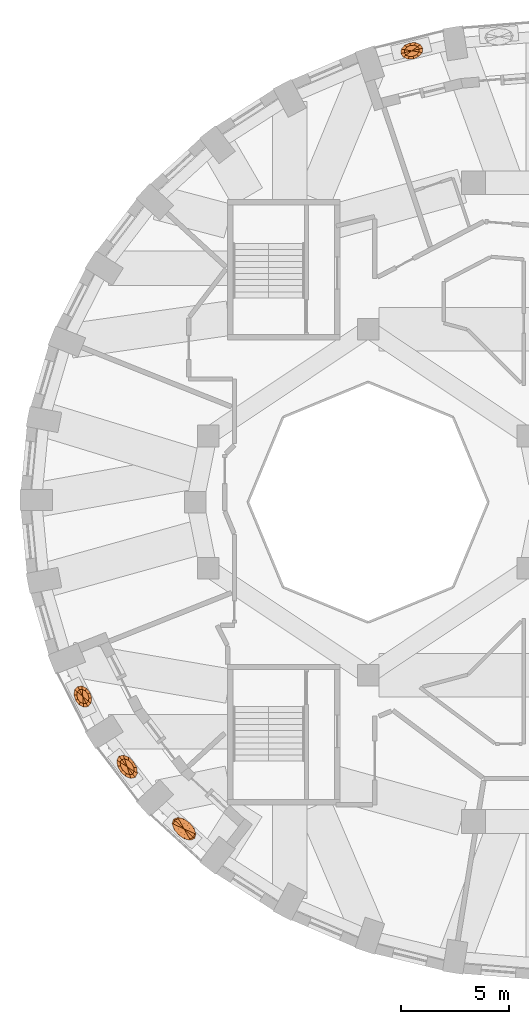
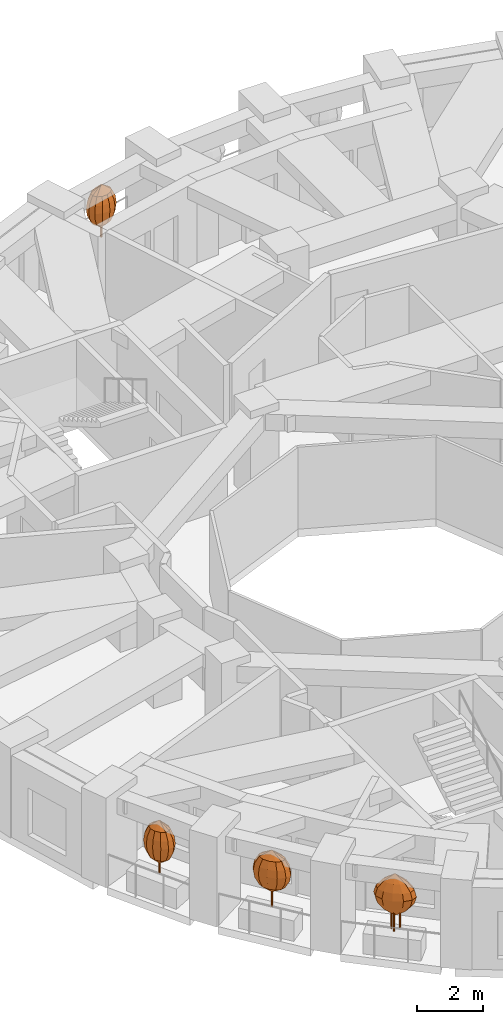
# One storey, part 10 of 11: 4 geographic elements.
"""IFC4 building model written with IfcOpenShell, lengths in metres."""

from ifc_helpers import new_model, si_unit, direction, frame, origin, place, context, subcontext, project, spatial, faceted_brep, material, constituent, constituent_set, type_object, element, save


model = new_model("IFC4")

# Units and contexts
model_context = context("Model", 3, precision=1e-05, world=origin(), true_north=direction((0.0, 1.0)))
body_context = subcontext(model_context, "Body", "Model", "MODEL_VIEW")
ifc_project = project(units=[si_unit("LENGTHUNIT", "METRE"), si_unit("AREAUNIT", "SQUARE_METRE"), si_unit("VOLUMEUNIT", "CUBIC_METRE"), si_unit("PLANEANGLEUNIT", "RADIAN"), si_unit("MASSUNIT", "GRAM", prefix="KILO")], contexts=[model_context])

# Site, building, storey
site_placement = place(None, origin())
site = spatial("IfcSite", under=ifc_project, at=site_placement, CompositionType="ELEMENT")
building_placement = place(site_placement, origin())
building = spatial("IfcBuilding", under=site, at=building_placement, Name="Taillehof Tower", CompositionType="ELEMENT")
storey_placement = place(building_placement, frame((0.0, 0.0, 178.10009765625)))
storey = spatial("IfcBuildingStorey", under=building, at=storey_placement, Name="L50", CompositionType="ELEMENT", Elevation=178.10009765625)

# Geographic elements
ifc_material_1 = material(Name="Tree bark", Category="timber")
ifc_constituent_1 = constituent(ifc_material_1, Name="Trunk", Category="timber")
ifc_material_2 = material(Name="Tree foliage")
ifc_constituent_2 = constituent(ifc_material_2, Name="Crown")
ifc_constituent_set_1 = constituent_set(constituents=[ifc_constituent_1, ifc_constituent_2], Name="Tree TR1 Columnar hornbeam")
geographic_element_type_1 = type_object("IfcGeographicElementType", Name="Tree TR1 Columnar hornbeam", PredefinedType="USERDEFINED", material=ifc_constituent_set_1)
geographic_element_1_placement = place(storey_placement, frame((-19.1455078125, -12.23876953125, 0.75)))
element("IfcGeographicElement", 1, at=geographic_element_1_placement, inside=storey, type_object=geographic_element_type_1, Name="Tree TR1 Columnar hornbeam", ObjectType="TREE", PredefinedType="USERDEFINED", context=body_context, shape_type="Brep", body=[
    faceted_brep([(0.030029296875, 0.0, 0.0), (0.021240234375, 0.021240234375, 0.0), (0.021240234375, 0.021240234375, 1.092529296875), (0.030029296875, 0.0, 1.092529296875), (0.0, 0.030029296875, 0.0), (0.0, 0.030029296875, 1.092529296875), (-0.021240234375, 0.021240234375, 0.0), (-0.021240234375, 0.021240234375, 1.092529296875), (-0.030029296875, 0.0, 0.0), (-0.030029296875, 0.0, 1.092529296875), (-0.021240234375, -0.021240234375, 0.0), (-0.021240234375, -0.021240234375, 1.092529296875), (0.0, -0.030029296875, 0.0), (0.0, -0.030029296875, 1.092529296875), (0.021240234375, -0.021240234375, 0.0), (0.021240234375, -0.021240234375, 1.092529296875)], [[[0, 1, 2, 3]], [[1, 4, 5, 2]], [[4, 6, 7, 5]], [[6, 8, 9, 7]], [[8, 10, 11, 9]], [[10, 12, 13, 11]], [[12, 14, 15, 13]], [[14, 0, 3, 15]], [[14, 12, 10, 8, 6, 4, 1, 0]], [[3, 2, 5, 7, 9, 11, 13, 15]]]),
    faceted_brep([(0.0, 0.0, 0.550048828125), (0.324951171875, -0.211181640625, 0.808349609375), (0.25634765625, -0.3349609375, 0.808349609375), (0.306640625, -0.03076171875, 0.808349609375), (0.2060546875, 0.15771484375, 0.808349609375), (0.05029296875, 0.30419921875, 0.808349609375), (-0.118896484375, 0.368896484375, 0.808349609375), (-0.25634765625, 0.3349609375, 0.808349609375), (-0.324951171875, 0.211181640625, 0.808349609375), (-0.306640625, 0.03076171875, 0.808349609375), (-0.2060546875, -0.15771484375, 0.808349609375), (-0.05029296875, -0.30419921875, 0.808349609375), (0.118896484375, -0.368896484375, 0.808349609375), (0.439697265625, -0.28564453125, 1.066650390625), (0.3466796875, -0.453125, 1.066650390625), (0.414794921875, -0.041748046875, 1.066650390625), (0.27880859375, 0.21337890625, 1.066650390625), (0.068115234375, 0.411376953125, 1.066650390625), (-0.160888671875, 0.4990234375, 1.066650390625), (-0.3466796875, 0.453125, 1.066650390625), (-0.439697265625, 0.28564453125, 1.066650390625), (-0.414794921875, 0.041748046875, 1.066650390625), (-0.27880859375, -0.21337890625, 1.066650390625), (-0.068115234375, -0.411376953125, 1.066650390625), (0.160888671875, -0.4990234375, 1.066650390625), (0.475830078125, -0.30908203125, 1.324951171875), (0.375244140625, -0.490234375, 1.324951171875), (0.448974609375, -0.045166015625, 1.324951171875), (0.3017578125, 0.23095703125, 1.324951171875), (0.07373046875, 0.4453125, 1.324951171875), (-0.174072265625, 0.5400390625, 1.324951171875), (-0.375244140625, 0.490234375, 1.324951171875), (-0.475830078125, 0.30908203125, 1.324951171875), (-0.448974609375, 0.045166015625, 1.324951171875), (-0.3017578125, -0.23095703125, 1.324951171875), (-0.07373046875, -0.4453125, 1.324951171875), (0.174072265625, -0.5400390625, 1.324951171875), (0.439697265625, -0.28564453125, 1.583251953125), (0.3466796875, -0.453125, 1.583251953125), (0.414794921875, -0.041748046875, 1.583251953125), (0.27880859375, 0.21337890625, 1.583251953125), (0.068115234375, 0.411376953125, 1.583251953125), (-0.160888671875, 0.4990234375, 1.583251953125), (-0.3466796875, 0.453125, 1.583251953125), (-0.439697265625, 0.28564453125, 1.583251953125), (-0.414794921875, 0.041748046875, 1.583251953125), (-0.27880859375, -0.21337890625, 1.583251953125), (-0.068115234375, -0.411376953125, 1.583251953125), (0.160888671875, -0.4990234375, 1.583251953125), (0.324951171875, -0.211181640625, 1.841552734375), (0.25634765625, -0.3349609375, 1.841552734375), (0.306640625, -0.03076171875, 1.841552734375), (0.2060546875, 0.15771484375, 1.841552734375), (0.05029296875, 0.30419921875, 1.841552734375), (-0.118896484375, 0.368896484375, 1.841552734375), (-0.25634765625, 0.3349609375, 1.841552734375), (-0.324951171875, 0.211181640625, 1.841552734375), (-0.306640625, 0.03076171875, 1.841552734375), (-0.2060546875, -0.15771484375, 1.841552734375), (-0.05029296875, -0.30419921875, 1.841552734375), (0.118896484375, -0.368896484375, 1.841552734375), (0.0, 0.0, 2.10009765625)], [[[0, 1, 2]], [[0, 3, 1]], [[0, 4, 3]], [[0, 5, 4]], [[0, 6, 5]], [[0, 7, 6]], [[0, 8, 7]], [[0, 9, 8]], [[0, 10, 9]], [[0, 11, 10]], [[0, 12, 11]], [[0, 2, 12]], [[2, 1, 13, 14]], [[1, 3, 15, 13]], [[3, 4, 16, 15]], [[4, 5, 17, 16]], [[5, 6, 18, 17]], [[6, 7, 19, 18]], [[7, 8, 20, 19]], [[8, 9, 21, 20]], [[9, 10, 22, 21]], [[10, 11, 23, 22]], [[11, 12, 24, 23]], [[12, 2, 14, 24]], [[14, 13, 25, 26]], [[13, 15, 27, 25]], [[15, 16, 28, 27]], [[16, 17, 29, 28]], [[17, 18, 30, 29]], [[18, 19, 31, 30]], [[19, 20, 32, 31]], [[20, 21, 33, 32]], [[21, 22, 34, 33]], [[22, 23, 35, 34]], [[23, 24, 36, 35]], [[24, 14, 26, 36]], [[26, 25, 37, 38]], [[25, 27, 39, 37]], [[27, 28, 40, 39]], [[28, 29, 41, 40]], [[29, 30, 42, 41]], [[30, 31, 43, 42]], [[31, 32, 44, 43]], [[32, 33, 45, 44]], [[33, 34, 46, 45]], [[34, 35, 47, 46]], [[35, 36, 48, 47]], [[36, 26, 38, 48]], [[38, 37, 49, 50]], [[37, 39, 51, 49]], [[39, 40, 52, 51]], [[40, 41, 53, 52]], [[41, 42, 54, 53]], [[42, 43, 55, 54]], [[43, 44, 56, 55]], [[44, 45, 57, 56]], [[45, 46, 58, 57]], [[46, 47, 59, 58]], [[47, 48, 60, 59]], [[48, 38, 50, 60]], [[50, 49, 61]], [[49, 51, 61]], [[51, 52, 61]], [[52, 53, 61]], [[53, 54, 61]], [[54, 55, 61]], [[55, 56, 61]], [[56, 57, 61]], [[57, 58, 61]], [[58, 59, 61]], [[59, 60, 61]], [[60, 50, 61]]]),
])
ifc_material_3 = material(Name="Tree bark", Category="timber")
ifc_constituent_3 = constituent(ifc_material_3, Name="Trunk", Category="timber")
ifc_material_4 = material(Name="Tree foliage")
ifc_constituent_4 = constituent(ifc_material_4, Name="Crown")
ifc_constituent_set_2 = constituent_set(constituents=[ifc_constituent_3, ifc_constituent_4], Name="Tree TR2 Fastigiate yew")
geographic_element_type_2 = type_object("IfcGeographicElementType", Name="Tree TR2 Fastigiate yew", PredefinedType="USERDEFINED", material=ifc_constituent_set_2)
geographic_element_2_placement = place(storey_placement, frame((-21.1943359375, -8.99169921875, 0.75)))
element("IfcGeographicElement", 2, at=geographic_element_2_placement, inside=storey, type_object=geographic_element_type_2, Name="Tree TR2 Fastigiate yew", ObjectType="TREE", PredefinedType="USERDEFINED", context=body_context, shape_type="Brep", body=[
    faceted_brep([(0.034912109375, 0.0, 0.0), (0.024658203125, 0.024658203125, 0.0), (0.024658203125, 0.024658203125, 0.909912109375), (0.034912109375, 0.0, 0.909912109375), (0.0, 0.034912109375, 0.0), (0.0, 0.034912109375, 0.909912109375), (-0.024658203125, 0.024658203125, 0.0), (-0.024658203125, 0.024658203125, 0.909912109375), (-0.034912109375, 0.0, 0.0), (-0.034912109375, 0.0, 0.909912109375), (-0.024658203125, -0.024658203125, 0.0), (-0.024658203125, -0.024658203125, 0.909912109375), (0.0, -0.034912109375, 0.0), (0.0, -0.034912109375, 0.909912109375), (0.024658203125, -0.024658203125, 0.0), (0.024658203125, -0.024658203125, 0.909912109375)], [[[0, 1, 2, 3]], [[1, 4, 5, 2]], [[4, 6, 7, 5]], [[6, 8, 9, 7]], [[8, 10, 11, 9]], [[10, 12, 13, 11]], [[12, 14, 15, 13]], [[14, 0, 3, 15]], [[14, 12, 10, 8, 6, 4, 1, 0]], [[3, 2, 5, 7, 9, 11, 13, 15]]]),
    faceted_brep([(0.0, 0.0, 0.35009765625), (0.255859375, -0.21630859375, 0.61669921875), (0.162109375, -0.31787109375, 0.61669921875), (0.28125, -0.056884765625, 0.61669921875), (0.231201171875, 0.117919921875, 0.61669921875), (0.119140625, 0.260986328125, 0.61669921875), (-0.024658203125, 0.334228515625, 0.61669921875), (-0.162109375, 0.31787109375, 0.61669921875), (-0.255859375, 0.21630859375, 0.61669921875), (-0.28125, 0.056884765625, 0.61669921875), (-0.231201171875, -0.117919921875, 0.61669921875), (-0.119140625, -0.260986328125, 0.61669921875), (0.024658203125, -0.334228515625, 0.61669921875), (0.34619140625, -0.292724609375, 0.88330078125), (0.21923828125, -0.43017578125, 0.88330078125), (0.380615234375, -0.076904296875, 0.88330078125), (0.312744140625, 0.159423828125, 0.88330078125), (0.161376953125, 0.35302734375, 0.88330078125), (-0.033447265625, 0.4521484375, 0.88330078125), (-0.21923828125, 0.43017578125, 0.88330078125), (-0.34619140625, 0.292724609375, 0.88330078125), (-0.380615234375, 0.076904296875, 0.88330078125), (-0.312744140625, -0.159423828125, 0.88330078125), (-0.161376953125, -0.35302734375, 0.88330078125), (0.033447265625, -0.4521484375, 0.88330078125), (0.374755859375, -0.31689453125, 1.14990234375), (0.2373046875, -0.465576171875, 1.14990234375), (0.411865234375, -0.083251953125, 1.14990234375), (0.338623046875, 0.172607421875, 1.14990234375), (0.174560546875, 0.38232421875, 1.14990234375), (-0.0361328125, 0.489501953125, 1.14990234375), (-0.2373046875, 0.465576171875, 1.14990234375), (-0.374755859375, 0.31689453125, 1.14990234375), (-0.411865234375, 0.083251953125, 1.14990234375), (-0.338623046875, -0.172607421875, 1.14990234375), (-0.174560546875, -0.38232421875, 1.14990234375), (0.0361328125, -0.489501953125, 1.14990234375), (0.34619140625, -0.292724609375, 1.416748046875), (0.21923828125, -0.43017578125, 1.416748046875), (0.380615234375, -0.076904296875, 1.416748046875), (0.312744140625, 0.159423828125, 1.416748046875), (0.161376953125, 0.35302734375, 1.416748046875), (-0.033447265625, 0.4521484375, 1.416748046875), (-0.21923828125, 0.43017578125, 1.416748046875), (-0.34619140625, 0.292724609375, 1.416748046875), (-0.380615234375, 0.076904296875, 1.416748046875), (-0.312744140625, -0.159423828125, 1.416748046875), (-0.161376953125, -0.35302734375, 1.416748046875), (0.033447265625, -0.4521484375, 1.416748046875), (0.255859375, -0.21630859375, 1.683349609375), (0.162109375, -0.31787109375, 1.683349609375), (0.28125, -0.056884765625, 1.683349609375), (0.231201171875, 0.117919921875, 1.683349609375), (0.119140625, 0.260986328125, 1.683349609375), (-0.024658203125, 0.334228515625, 1.683349609375), (-0.162109375, 0.31787109375, 1.683349609375), (-0.255859375, 0.21630859375, 1.683349609375), (-0.28125, 0.056884765625, 1.683349609375), (-0.231201171875, -0.117919921875, 1.683349609375), (-0.119140625, -0.260986328125, 1.683349609375), (0.024658203125, -0.334228515625, 1.683349609375), (0.0, 0.0, 1.949951171875)], [[[0, 1, 2]], [[0, 3, 1]], [[0, 4, 3]], [[0, 5, 4]], [[0, 6, 5]], [[0, 7, 6]], [[0, 8, 7]], [[0, 9, 8]], [[0, 10, 9]], [[0, 11, 10]], [[0, 12, 11]], [[0, 2, 12]], [[2, 1, 13, 14]], [[1, 3, 15, 13]], [[3, 4, 16, 15]], [[4, 5, 17, 16]], [[5, 6, 18, 17]], [[6, 7, 19, 18]], [[7, 8, 20, 19]], [[8, 9, 21, 20]], [[9, 10, 22, 21]], [[10, 11, 23, 22]], [[11, 12, 24, 23]], [[12, 2, 14, 24]], [[14, 13, 25, 26]], [[13, 15, 27, 25]], [[15, 16, 28, 27]], [[16, 17, 29, 28]], [[17, 18, 30, 29]], [[18, 19, 31, 30]], [[19, 20, 32, 31]], [[20, 21, 33, 32]], [[21, 22, 34, 33]], [[22, 23, 35, 34]], [[23, 24, 36, 35]], [[24, 14, 26, 36]], [[26, 25, 37, 38]], [[25, 27, 39, 37]], [[27, 28, 40, 39]], [[28, 29, 41, 40]], [[29, 30, 42, 41]], [[30, 31, 43, 42]], [[31, 32, 44, 43]], [[32, 33, 45, 44]], [[33, 34, 46, 45]], [[34, 35, 47, 46]], [[35, 36, 48, 47]], [[36, 26, 38, 48]], [[38, 37, 49, 50]], [[37, 39, 51, 49]], [[39, 40, 52, 51]], [[40, 41, 53, 52]], [[41, 42, 54, 53]], [[42, 43, 55, 54]], [[43, 44, 56, 55]], [[44, 45, 57, 56]], [[45, 46, 58, 57]], [[46, 47, 59, 58]], [[47, 48, 60, 59]], [[48, 38, 50, 60]], [[50, 49, 61]], [[49, 51, 61]], [[51, 52, 61]], [[52, 53, 61]], [[53, 54, 61]], [[54, 55, 61]], [[55, 56, 61]], [[56, 57, 61]], [[57, 58, 61]], [[58, 59, 61]], [[59, 60, 61]], [[60, 50, 61]]]),
])
geographic_element_3_placement = place(storey_placement, frame((-5.9794921875, 20.873779296875, 0.75)))
element("IfcGeographicElement", 3, at=geographic_element_3_placement, inside=storey, type_object=geographic_element_type_2, Name="Tree TR2 Fastigiate yew", ObjectType="TREE", PredefinedType="USERDEFINED", context=body_context, shape_type="Brep", body=[
    faceted_brep([(0.034912109375, 0.0, 0.0), (0.024658203125, 0.024658203125, 0.0), (0.024658203125, 0.024658203125, 0.909912109375), (0.034912109375, 0.0, 0.909912109375), (0.0, 0.034912109375, 0.0), (0.0, 0.034912109375, 0.909912109375), (-0.024658203125, 0.024658203125, 0.0), (-0.024658203125, 0.024658203125, 0.909912109375), (-0.034912109375, 0.0, 0.0), (-0.034912109375, 0.0, 0.909912109375), (-0.024658203125, -0.024658203125, 0.0), (-0.024658203125, -0.024658203125, 0.909912109375), (0.0, -0.034912109375, 0.0), (0.0, -0.034912109375, 0.909912109375), (0.024658203125, -0.024658203125, 0.0), (0.024658203125, -0.024658203125, 0.909912109375)], [[[0, 1, 2, 3]], [[1, 4, 5, 2]], [[4, 6, 7, 5]], [[6, 8, 9, 7]], [[8, 10, 11, 9]], [[10, 12, 13, 11]], [[12, 14, 15, 13]], [[14, 0, 3, 15]], [[14, 12, 10, 8, 6, 4, 1, 0]], [[3, 2, 5, 7, 9, 11, 13, 15]]]),
    faceted_brep([(0.0, 0.0, 0.35009765625), (-0.269287109375, -0.19970703125, 0.61669921875), (-0.3466796875, -0.0849609375, 0.61669921875), (-0.119873046875, -0.2607421875, 0.61669921875), (0.061767578125, -0.252197265625, 0.61669921875), (0.226806640625, -0.17578125, 0.61669921875), (0.3310546875, -0.052490234375, 0.61669921875), (0.3466796875, 0.0849609375, 0.61669921875), (0.269287109375, 0.19970703125, 0.61669921875), (0.119873046875, 0.2607421875, 0.61669921875), (-0.061767578125, 0.252197265625, 0.61669921875), (-0.226806640625, 0.17578125, 0.61669921875), (-0.3310546875, 0.052490234375, 0.61669921875), (-0.3642578125, -0.27001953125, 0.88330078125), (-0.468994140625, -0.114990234375, 0.88330078125), (-0.162109375, -0.352783203125, 0.88330078125), (0.08349609375, -0.341064453125, 0.88330078125), (0.306884765625, -0.23779296875, 0.88330078125), (0.44775390625, -0.071044921875, 0.88330078125), (0.468994140625, 0.114990234375, 0.88330078125), (0.3642578125, 0.27001953125, 0.88330078125), (0.162109375, 0.352783203125, 0.88330078125), (-0.08349609375, 0.341064453125, 0.88330078125), (-0.306884765625, 0.23779296875, 0.88330078125), (-0.44775390625, 0.071044921875, 0.88330078125), (-0.394287109375, -0.292236328125, 1.14990234375), (-0.507568359375, -0.12451171875, 1.14990234375), (-0.17529296875, -0.3818359375, 1.14990234375), (0.090576171875, -0.369140625, 1.14990234375), (0.33203125, -0.25732421875, 1.14990234375), (0.484619140625, -0.076904296875, 1.14990234375), (0.507568359375, 0.12451171875, 1.14990234375), (0.394287109375, 0.292236328125, 1.14990234375), (0.17529296875, 0.3818359375, 1.14990234375), (-0.090576171875, 0.369140625, 1.14990234375), (-0.33203125, 0.25732421875, 1.14990234375), (-0.484619140625, 0.076904296875, 1.14990234375), (-0.3642578125, -0.27001953125, 1.416748046875), (-0.468994140625, -0.114990234375, 1.416748046875), (-0.162109375, -0.352783203125, 1.416748046875), (0.08349609375, -0.341064453125, 1.416748046875), (0.306884765625, -0.23779296875, 1.416748046875), (0.44775390625, -0.071044921875, 1.416748046875), (0.468994140625, 0.114990234375, 1.416748046875), (0.3642578125, 0.27001953125, 1.416748046875), (0.162109375, 0.352783203125, 1.416748046875), (-0.08349609375, 0.341064453125, 1.416748046875), (-0.306884765625, 0.23779296875, 1.416748046875), (-0.44775390625, 0.071044921875, 1.416748046875), (-0.269287109375, -0.19970703125, 1.683349609375), (-0.3466796875, -0.0849609375, 1.683349609375), (-0.119873046875, -0.2607421875, 1.683349609375), (0.061767578125, -0.252197265625, 1.683349609375), (0.226806640625, -0.17578125, 1.683349609375), (0.3310546875, -0.052490234375, 1.683349609375), (0.3466796875, 0.0849609375, 1.683349609375), (0.269287109375, 0.19970703125, 1.683349609375), (0.119873046875, 0.2607421875, 1.683349609375), (-0.061767578125, 0.252197265625, 1.683349609375), (-0.226806640625, 0.17578125, 1.683349609375), (-0.3310546875, 0.052490234375, 1.683349609375), (0.0, 0.0, 1.949951171875)], [[[0, 1, 2]], [[0, 3, 1]], [[0, 4, 3]], [[0, 5, 4]], [[0, 6, 5]], [[0, 7, 6]], [[0, 8, 7]], [[0, 9, 8]], [[0, 10, 9]], [[0, 11, 10]], [[0, 12, 11]], [[0, 2, 12]], [[2, 1, 13, 14]], [[1, 3, 15, 13]], [[3, 4, 16, 15]], [[4, 5, 17, 16]], [[5, 6, 18, 17]], [[6, 7, 19, 18]], [[7, 8, 20, 19]], [[8, 9, 21, 20]], [[9, 10, 22, 21]], [[10, 11, 23, 22]], [[11, 12, 24, 23]], [[12, 2, 14, 24]], [[14, 13, 25, 26]], [[13, 15, 27, 25]], [[15, 16, 28, 27]], [[16, 17, 29, 28]], [[17, 18, 30, 29]], [[18, 19, 31, 30]], [[19, 20, 32, 31]], [[20, 21, 33, 32]], [[21, 22, 34, 33]], [[22, 23, 35, 34]], [[23, 24, 36, 35]], [[24, 14, 26, 36]], [[26, 25, 37, 38]], [[25, 27, 39, 37]], [[27, 28, 40, 39]], [[28, 29, 41, 40]], [[29, 30, 42, 41]], [[30, 31, 43, 42]], [[31, 32, 44, 43]], [[32, 33, 45, 44]], [[33, 34, 46, 45]], [[34, 35, 47, 46]], [[35, 36, 48, 47]], [[36, 26, 38, 48]], [[38, 37, 49, 50]], [[37, 39, 51, 49]], [[39, 40, 52, 51]], [[40, 41, 53, 52]], [[41, 42, 54, 53]], [[42, 43, 55, 54]], [[43, 44, 56, 55]], [[44, 45, 57, 56]], [[45, 46, 58, 57]], [[46, 47, 59, 58]], [[47, 48, 60, 59]], [[48, 38, 50, 60]], [[50, 49, 61]], [[49, 51, 61]], [[51, 52, 61]], [[52, 53, 61]], [[53, 54, 61]], [[54, 55, 61]], [[55, 56, 61]], [[56, 57, 61]], [[57, 58, 61]], [[58, 59, 61]], [[59, 60, 61]], [[60, 50, 61]]]),
])
ifc_material_5 = material(Name="Tree bark", Category="timber")
ifc_constituent_5 = constituent(ifc_material_5, Name="Trunk", Category="timber")
ifc_material_6 = material(Name="Tree foliage")
ifc_constituent_6 = constituent(ifc_material_6, Name="Crown")
ifc_constituent_set_3 = constituent_set(constituents=[ifc_constituent_5, ifc_constituent_6], Name="Tree TR3 Multi-stem serviceberry")
geographic_element_type_3 = type_object("IfcGeographicElementType", Name="Tree TR3 Multi-stem serviceberry", PredefinedType="USERDEFINED", material=ifc_constituent_set_3)
geographic_element_4_placement = place(storey_placement, frame((-16.51220703125, -15.110107421875, 0.75)))
element("IfcGeographicElement", 4, at=geographic_element_4_placement, inside=storey, type_object=geographic_element_type_3, Name="Tree TR3 Multi-stem serviceberry", ObjectType="TREE", PredefinedType="USERDEFINED", context=body_context, shape_type="Brep", body=[
    faceted_brep([(0.195068359375, 0.0, 0.0), (0.186767578125, 0.0205078125, 0.0), (0.186767578125, 0.0205078125, 1.04248046875), (0.195068359375, 0.0, 1.04248046875), (0.166259765625, 0.02880859375, 0.0), (0.166259765625, 0.02880859375, 1.04248046875), (0.145751953125, 0.0205078125, 0.0), (0.145751953125, 0.0205078125, 1.04248046875), (0.137451171875, 0.0, 0.0), (0.137451171875, 0.0, 1.04248046875), (0.145751953125, -0.0205078125, 0.0), (0.145751953125, -0.0205078125, 1.04248046875), (0.166259765625, -0.02880859375, 0.0), (0.166259765625, -0.02880859375, 1.04248046875), (0.186767578125, -0.0205078125, 0.0), (0.186767578125, -0.0205078125, 1.04248046875)], [[[0, 1, 2, 3]], [[1, 4, 5, 2]], [[4, 6, 7, 5]], [[6, 8, 9, 7]], [[8, 10, 11, 9]], [[10, 12, 13, 11]], [[12, 14, 15, 13]], [[14, 0, 3, 15]], [[14, 12, 10, 8, 6, 4, 1, 0]], [[3, 2, 5, 7, 9, 11, 13, 15]]]),
    faceted_brep([(-0.05419921875, 0.082275390625, 0.0), (-0.062744140625, 0.102783203125, 0.0), (-0.062744140625, 0.102783203125, 1.04248046875), (-0.05419921875, 0.082275390625, 1.04248046875), (-0.0830078125, 0.111083984375, 0.0), (-0.0830078125, 0.111083984375, 1.04248046875), (-0.103515625, 0.102783203125, 0.0), (-0.103515625, 0.102783203125, 1.04248046875), (-0.112060546875, 0.082275390625, 0.0), (-0.112060546875, 0.082275390625, 1.04248046875), (-0.103515625, 0.061767578125, 0.0), (-0.103515625, 0.061767578125, 1.04248046875), (-0.0830078125, 0.053466796875, 0.0), (-0.0830078125, 0.053466796875, 1.04248046875), (-0.062744140625, 0.061767578125, 0.0), (-0.062744140625, 0.061767578125, 1.04248046875)], [[[0, 1, 2, 3]], [[1, 4, 5, 2]], [[4, 6, 7, 5]], [[6, 8, 9, 7]], [[8, 10, 11, 9]], [[10, 12, 13, 11]], [[12, 14, 15, 13]], [[14, 0, 3, 15]], [[14, 12, 10, 8, 6, 4, 1, 0]], [[3, 2, 5, 7, 9, 11, 13, 15]]]),
    faceted_brep([(-0.05419921875, -0.082275390625, 0.0), (-0.062744140625, -0.061767578125, 0.0), (-0.062744140625, -0.061767578125, 1.04248046875), (-0.05419921875, -0.082275390625, 1.04248046875), (-0.0830078125, -0.053466796875, 0.0), (-0.0830078125, -0.053466796875, 1.04248046875), (-0.103515625, -0.061767578125, 0.0), (-0.103515625, -0.061767578125, 1.04248046875), (-0.112060546875, -0.082275390625, 0.0), (-0.112060546875, -0.082275390625, 1.04248046875), (-0.103515625, -0.102783203125, 0.0), (-0.103515625, -0.102783203125, 1.04248046875), (-0.0830078125, -0.111083984375, 0.0), (-0.0830078125, -0.111083984375, 1.04248046875), (-0.062744140625, -0.102783203125, 0.0), (-0.062744140625, -0.102783203125, 1.04248046875)], [[[0, 1, 2, 3]], [[1, 4, 5, 2]], [[4, 6, 7, 5]], [[6, 8, 9, 7]], [[8, 10, 11, 9]], [[10, 12, 13, 11]], [[12, 14, 15, 13]], [[14, 0, 3, 15]], [[14, 12, 10, 8, 6, 4, 1, 0]], [[3, 2, 5, 7, 9, 11, 13, 15]]]),
    faceted_brep([(0.0, 0.0, 0.5), (0.317626953125, -0.142822265625, 0.75830078125), (0.28173828125, -0.2578125, 0.75830078125), (0.2685546875, 0.010498046875, 0.75830078125), (0.147216796875, 0.1611328125, 0.75830078125), (-0.013427734375, 0.268310546875, 0.75830078125), (-0.17041015625, 0.3037109375, 0.75830078125), (-0.28173828125, 0.2578125, 0.75830078125), (-0.317626953125, 0.142822265625, 0.75830078125), (-0.2685546875, -0.010498046875, 0.75830078125), (-0.147216796875, -0.1611328125, 0.75830078125), (0.013427734375, -0.268310546875, 0.75830078125), (0.17041015625, -0.3037109375, 0.75830078125), (0.492919921875, -0.221435546875, 1.0166015625), (0.437255859375, -0.400146484375, 1.0166015625), (0.416748046875, 0.016357421875, 1.0166015625), (0.228515625, 0.25, 1.0166015625), (-0.020751953125, 0.41650390625, 1.0166015625), (-0.264404296875, 0.471435546875, 1.0166015625), (-0.437255859375, 0.400146484375, 1.0166015625), (-0.492919921875, 0.221435546875, 1.0166015625), (-0.416748046875, -0.016357421875, 1.0166015625), (-0.228515625, -0.25, 1.0166015625), (0.020751953125, -0.41650390625, 1.0166015625), (0.264404296875, -0.471435546875, 1.0166015625), (0.55322265625, -0.24853515625, 1.27490234375), (0.49072265625, -0.448974609375, 1.27490234375), (0.467529296875, 0.018310546875, 1.27490234375), (0.256591796875, 0.2802734375, 1.27490234375), (-0.023193359375, 0.46728515625, 1.27490234375), (-0.296630859375, 0.52880859375, 1.27490234375), (-0.49072265625, 0.448974609375, 1.27490234375), (-0.55322265625, 0.24853515625, 1.27490234375), (-0.467529296875, -0.018310546875, 1.27490234375), (-0.256591796875, -0.2802734375, 1.27490234375), (0.023193359375, -0.46728515625, 1.27490234375), (0.296630859375, -0.52880859375, 1.27490234375), (0.492919921875, -0.221435546875, 1.533447265625), (0.437255859375, -0.400146484375, 1.533447265625), (0.416748046875, 0.016357421875, 1.533447265625), (0.228515625, 0.25, 1.533447265625), (-0.020751953125, 0.41650390625, 1.533447265625), (-0.264404296875, 0.471435546875, 1.533447265625), (-0.437255859375, 0.400146484375, 1.533447265625), (-0.492919921875, 0.221435546875, 1.533447265625), (-0.416748046875, -0.016357421875, 1.533447265625), (-0.228515625, -0.25, 1.533447265625), (0.020751953125, -0.41650390625, 1.533447265625), (0.264404296875, -0.471435546875, 1.533447265625), (0.317626953125, -0.142822265625, 1.791748046875), (0.28173828125, -0.2578125, 1.791748046875), (0.2685546875, 0.010498046875, 1.791748046875), (0.147216796875, 0.1611328125, 1.791748046875), (-0.013427734375, 0.268310546875, 1.791748046875), (-0.17041015625, 0.3037109375, 1.791748046875), (-0.28173828125, 0.2578125, 1.791748046875), (-0.317626953125, 0.142822265625, 1.791748046875), (-0.2685546875, -0.010498046875, 1.791748046875), (-0.147216796875, -0.1611328125, 1.791748046875), (0.013427734375, -0.268310546875, 1.791748046875), (0.17041015625, -0.3037109375, 1.791748046875), (0.0, 0.0, 2.050048828125)], [[[0, 1, 2]], [[0, 3, 1]], [[0, 4, 3]], [[0, 5, 4]], [[0, 6, 5]], [[0, 7, 6]], [[0, 8, 7]], [[0, 9, 8]], [[0, 10, 9]], [[0, 11, 10]], [[0, 12, 11]], [[0, 2, 12]], [[2, 1, 13, 14]], [[1, 3, 15, 13]], [[3, 4, 16, 15]], [[4, 5, 17, 16]], [[5, 6, 18, 17]], [[6, 7, 19, 18]], [[7, 8, 20, 19]], [[8, 9, 21, 20]], [[9, 10, 22, 21]], [[10, 11, 23, 22]], [[11, 12, 24, 23]], [[12, 2, 14, 24]], [[14, 13, 25, 26]], [[13, 15, 27, 25]], [[15, 16, 28, 27]], [[16, 17, 29, 28]], [[17, 18, 30, 29]], [[18, 19, 31, 30]], [[19, 20, 32, 31]], [[20, 21, 33, 32]], [[21, 22, 34, 33]], [[22, 23, 35, 34]], [[23, 24, 36, 35]], [[24, 14, 26, 36]], [[26, 25, 37, 38]], [[25, 27, 39, 37]], [[27, 28, 40, 39]], [[28, 29, 41, 40]], [[29, 30, 42, 41]], [[30, 31, 43, 42]], [[31, 32, 44, 43]], [[32, 33, 45, 44]], [[33, 34, 46, 45]], [[34, 35, 47, 46]], [[35, 36, 48, 47]], [[36, 26, 38, 48]], [[38, 37, 49, 50]], [[37, 39, 51, 49]], [[39, 40, 52, 51]], [[40, 41, 53, 52]], [[41, 42, 54, 53]], [[42, 43, 55, 54]], [[43, 44, 56, 55]], [[44, 45, 57, 56]], [[45, 46, 58, 57]], [[46, 47, 59, 58]], [[47, 48, 60, 59]], [[48, 38, 50, 60]], [[50, 49, 61]], [[49, 51, 61]], [[51, 52, 61]], [[52, 53, 61]], [[53, 54, 61]], [[54, 55, 61]], [[55, 56, 61]], [[56, 57, 61]], [[57, 58, 61]], [[58, 59, 61]], [[59, 60, 61]], [[60, 50, 61]]]),
])

save(model, "model.ifc")
